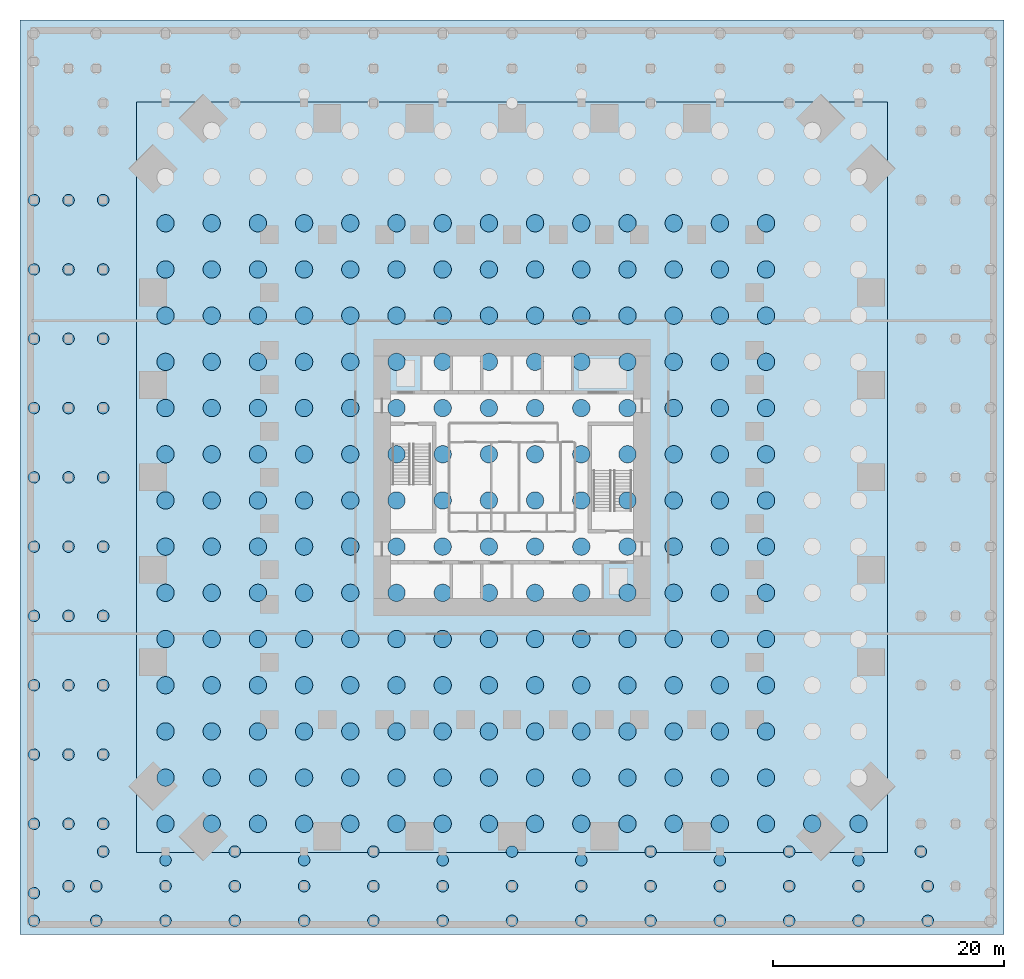
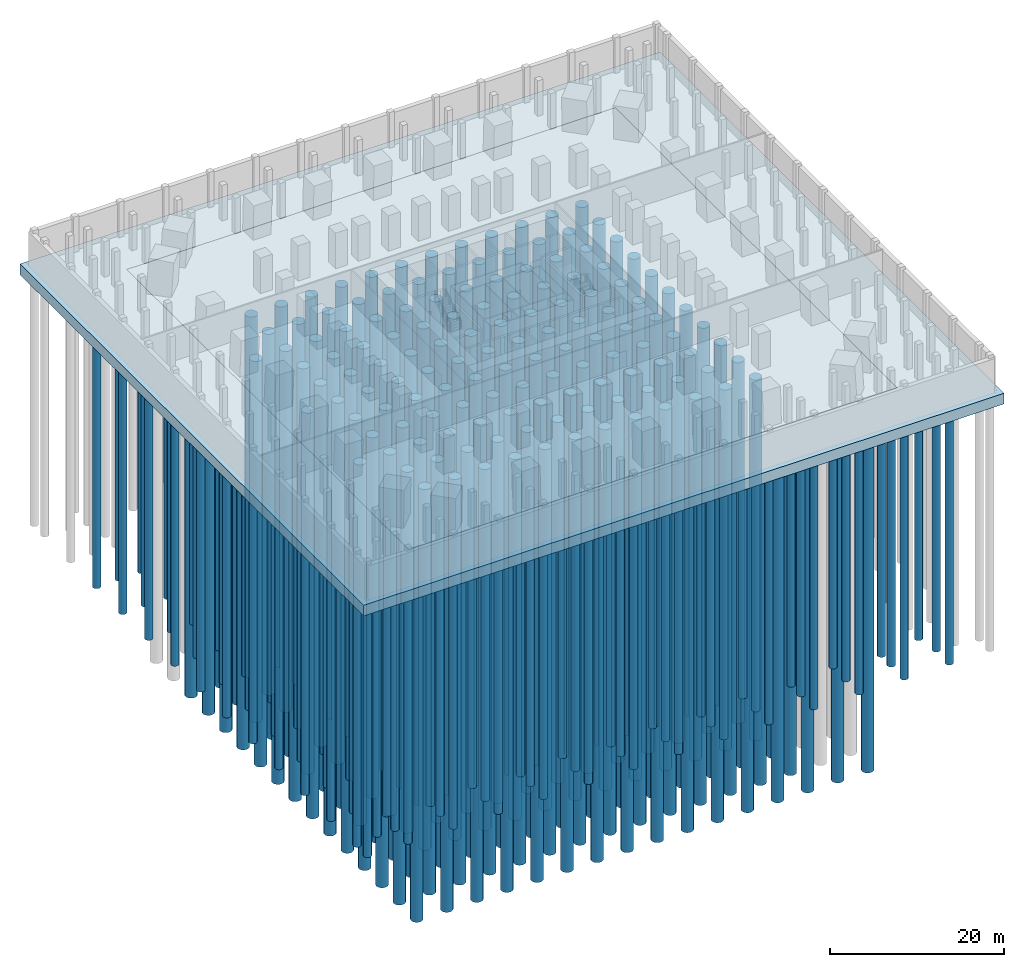
# One storey, part 1 of 8: 270 piles, 2 footings.
"""IFC4 building model written with IfcOpenShell, lengths in metres."""

import ifcopenshell
import ifcopenshell.guid

model = None  # the IFC model being written
_history = None  # IfcOwnerHistory: only IFC2X3 demands one
_inside = {}  # id of a spatial element -> (the spatial element, [elements in it])
_under = {}  # id of a project, library or spatial element -> (it, [spatial elements below it])
_declared = {}  # id of a project -> (the project, [libraries it declares])
_typed = {}  # id of a type object -> (the type object, [elements of that type])
_made_of = {}  # id of a material, layer set ... -> (it, [elements and type objects made of it])


def new_model(schema):
    """Start an empty IFC model of exactly this schema.

    Asked for "IFC4X3", IfcOpenShell would pick the latest addendum, in which some entities
    have other attributes; the version numbers below select the first issue.
    IFC2X3 requires an IfcOwnerHistory on every rooted entity: one is made here for all.
    """
    global model, _history
    if schema == "IFC4X3":
        model = ifcopenshell.file(schema_version=(4, 3, 0, 0))
    else:
        model = ifcopenshell.file(schema=schema)
    _inside.clear()
    _under.clear()
    _declared.clear()
    _typed.clear()
    _made_of.clear()
    _history = None
    if model.schema == "IFC2X3":
        org = make("IfcOrganization", Name="unknown")
        user = make(
            "IfcPersonAndOrganization",
            ThePerson=make("IfcPerson", FamilyName="unknown"),
            TheOrganization=org,
        )
        app = make(
            "IfcApplication",
            ApplicationDeveloper=org,
            Version="unknown",
            ApplicationFullName="unknown",
            ApplicationIdentifier="unknown",
        )
        _history = make(
            "IfcOwnerHistory",
            OwningUser=user,
            OwningApplication=app,
            ChangeAction="ADDED",
            CreationDate=0,
        )
    return model


def make(cls, **values):
    """One entity of the class cls with the attributes given. An attribute that is None is left unset."""
    return model.create_entity(
        cls, **{name: value for name, value in values.items() if value is not None}
    )


def rooted(cls, **values):
    """An entity with a GlobalId (a new one), such as an element, a storey or a relation."""
    return make(cls, GlobalId=ifcopenshell.guid.new(), OwnerHistory=_history, **values)


def si_unit(unit_type, name, prefix=None):
    """IfcSIUnit, for example si_unit("LENGTHUNIT", "METRE", prefix="MILLI")."""
    return make("IfcSIUnit", UnitType=unit_type, Prefix=prefix, Name=name)


def assignment(units):
    """IfcUnitAssignment: the units of a project."""
    return None if units is None else make("IfcUnitAssignment", Units=units)


def point(xyz):
    """IfcCartesianPoint."""
    return None if xyz is None else make("IfcCartesianPoint", Coordinates=xyz)


def direction(xyz):
    """IfcDirection."""
    return None if xyz is None else make("IfcDirection", DirectionRatios=xyz)


def frame(location, z_axis=None, x_axis=None):
    """IfcAxis2Placement3D, a coordinate frame: its origin and axes. An axis left out is left unset."""
    return make(
        "IfcAxis2Placement3D",
        Location=point(location),
        Axis=direction(z_axis),
        RefDirection=direction(x_axis),
    )


def frame_2d(location, x_axis=None):
    """IfcAxis2Placement2D, a coordinate frame in the plane: its origin and x axis."""
    return make(
        "IfcAxis2Placement2D", Location=point(location), RefDirection=direction(x_axis)
    )


def origin():
    """The frame at (0, 0, 0) with its axes left unset."""
    return frame((0.0, 0.0, 0.0))


def origin_2d():
    """The frame at (0, 0) in the plane with its x axis left unset."""
    return frame_2d((0.0, 0.0))


def place(relative_to, where):
    """IfcLocalPlacement: puts the frame where relative to a parent placement (None: the world)."""
    return make(
        "IfcLocalPlacement", PlacementRelTo=relative_to, RelativePlacement=where
    )


def context(
    kind, dimensions, precision=None, world=None, true_north=None, identifier=None
):
    """IfcGeometricRepresentationContext, for example the 3D "Model" context."""
    return make(
        "IfcGeometricRepresentationContext",
        ContextIdentifier=identifier,
        ContextType=kind,
        CoordinateSpaceDimension=dimensions,
        Precision=precision,
        WorldCoordinateSystem=world,
        TrueNorth=true_north,
    )


def subcontext(parent, identifier, kind, view, scale=None):
    """IfcGeometricRepresentationSubContext, for example "Body" below "Model"."""
    return make(
        "IfcGeometricRepresentationSubContext",
        ContextIdentifier=identifier,
        ContextType=kind,
        ParentContext=parent,
        TargetScale=scale,
        TargetView=view,
    )


def project(units=None, contexts=None):
    """IfcProject with its units and contexts."""
    return rooted(
        "IfcProject",
        Name="project",
        RepresentationContexts=contexts,
        UnitsInContext=assignment(units),
    )


def spatial(cls, under=None, at=None, **own):
    """A site, building, storey or space (cls), placed at a placement, below another one or the project."""
    s = rooted(cls, ObjectPlacement=at, **own)
    if under is not None:
        _under.setdefault(under.id(), (under, []))[1].append(s)
    return s


def polyline(points):
    """IfcPolyline through the points."""
    return make("IfcPolyline", Points=[point(p) for p in points])


def profile(cls, at=None, kind="AREA", **sizes):
    """A parametric profile (cls). Its sizes go by their IFC names, for example OverallWidth=200.0."""
    return make(cls, ProfileType=kind, Position=at, **sizes)


def circle(**sizes):
    """IfcCircleProfileDef."""
    return profile("IfcCircleProfileDef", **sizes)


def outline(outer, holes=None, kind="AREA"):
    """IfcArbitraryClosedProfileDef: a profile drawn as a closed curve; with holes, ...WithVoids."""
    if holes is None:
        return make("IfcArbitraryClosedProfileDef", ProfileType=kind, OuterCurve=outer)
    return make(
        "IfcArbitraryProfileDefWithVoids",
        ProfileType=kind,
        OuterCurve=outer,
        InnerCurves=holes,
    )


def extrude(swept, where, along, depth):
    """IfcExtrudedAreaSolid: the profile swept, set in the frame where, extruded along a direction by depth."""
    return make(
        "IfcExtrudedAreaSolid",
        SweptArea=swept,
        Position=where,
        ExtrudedDirection=direction(along),
        Depth=depth,
    )


def shape(context_of_items, identifier, shape_type, items):
    """IfcShapeRepresentation: the items that make up one representation, for example the "Body"."""
    return make(
        "IfcShapeRepresentation",
        ContextOfItems=context_of_items,
        RepresentationIdentifier=identifier,
        RepresentationType=shape_type,
        Items=items,
    )


def material(Name=None, Category=None):
    """IfcMaterial."""
    return make("IfcMaterial", Name=Name, Category=Category)


def layer(
    of_material, thickness, ventilated=None, Name=None, Category=None, Priority=None
):
    """IfcMaterialLayer: one layer of a wall or slab, of a material (None: an air gap)."""
    return make(
        "IfcMaterialLayer",
        Material=of_material,
        LayerThickness=thickness,
        IsVentilated=ventilated,
        Name=Name,
        Category=Category,
        Priority=Priority,
    )


def layer_set(layers, Name=None):
    """IfcMaterialLayerSet."""
    return make("IfcMaterialLayerSet", MaterialLayers=layers, LayerSetName=Name)


def material_profile(
    of_material, cross_section, Name=None, Category=None, Priority=None
):
    """IfcMaterialProfile: a cross section and its material."""
    return make(
        "IfcMaterialProfile",
        Name=Name,
        Material=of_material,
        Profile=cross_section,
        Priority=Priority,
        Category=Category,
    )


def profile_set(profiles, Name=None, composite=None):
    """IfcMaterialProfileSet."""
    return make(
        "IfcMaterialProfileSet",
        Name=Name,
        MaterialProfiles=profiles,
        CompositeProfile=composite,
    )


def made_of(thing, what):
    """Note that an element or type object is made of a material, layer set ...; save() writes the relation."""
    if what is not None:
        _made_of.setdefault(what.id(), (what, []))[1].append(thing)
    return thing


def type_object(cls, material=None, **own):
    """A type object (cls), such as IfcWallType, which elements share."""
    return made_of(rooted(cls, **own), material)


def element(
    cls,
    number,
    at=None,
    inside=None,
    cuts=None,
    type_object=None,
    material=None,
    context=None,
    identifier="Body",
    shape_type=None,
    held_by="IfcProductDefinitionShape",
    body=None,
    shapes=None,
    **own,
):
    """One element of the class cls, such as IfcWall. Its Tag is "e" and its number.

    at: its placement. inside: the storey or other place that contains it. cuts: it is an
    opening in that element (IfcRelVoidsElement). A single representation is given by context,
    identifier, shape_type and body (its items); several are given by shapes. held_by: the class
    of the entity that holds the representations. save() writes the other relations.
    """
    e = rooted(cls, Tag="e%d" % number, ObjectPlacement=at, **own)
    if body is not None:
        shapes = [shape(context, identifier, shape_type, body)]
    if shapes is not None:
        e.Representation = make(held_by, Representations=shapes)
    if inside is not None:
        _inside.setdefault(inside.id(), (inside, []))[1].append(e)
    if cuts is not None:
        rooted(
            "IfcRelVoidsElement", RelatingBuildingElement=cuts, RelatedOpeningElement=e
        )
    if type_object is not None:
        _typed.setdefault(type_object.id(), (type_object, []))[1].append(e)
    return made_of(e, material)


def aggregate(whole, parts):
    """IfcRelAggregates: a whole, such as a stair, and the parts it consists of."""
    return rooted("IfcRelAggregates", RelatingObject=whole, RelatedObjects=parts)


def save(model, path):
    """Write the relations noted so far, then the file.

    IfcRelAggregates (storeys below a building ...), IfcRelContainedInSpatialStructure (elements
    in a storey), IfcRelDefinesByType, IfcRelAssociatesMaterial and IfcRelDeclares: one each for
    every whole, place, type object, material and project.
    """
    for whole, parts in _under.values():
        aggregate(whole, parts)
    for where, things in _inside.values():
        rooted(
            "IfcRelContainedInSpatialStructure",
            RelatedElements=things,
            RelatingStructure=where,
        )
    for kind, things in _typed.values():
        rooted("IfcRelDefinesByType", RelatedObjects=things, RelatingType=kind)
    for what, things in _made_of.values():
        rooted("IfcRelAssociatesMaterial", RelatedObjects=things, RelatingMaterial=what)
    for by, libraries in _declared.values():
        rooted("IfcRelDeclares", RelatingContext=by, RelatedDefinitions=libraries)
    model.write(path)


model = new_model("IFC4")

# Units and contexts
model_context = context("Model", 3, precision=1e-05, world=origin(), true_north=direction((0.0, 1.0)))
body_context = subcontext(model_context, "Body", "Model", "MODEL_VIEW")
ifc_project = project(units=[si_unit("LENGTHUNIT", "METRE"), si_unit("AREAUNIT", "SQUARE_METRE"), si_unit("VOLUMEUNIT", "CUBIC_METRE"), si_unit("PLANEANGLEUNIT", "RADIAN"), si_unit("MASSUNIT", "GRAM", prefix="KILO")], contexts=[model_context])

# Site, building, storey
site_placement = place(None, origin())
site = spatial("IfcSite", under=ifc_project, at=site_placement, CompositionType="ELEMENT")
building_placement = place(site_placement, origin())
building = spatial("IfcBuilding", under=site, at=building_placement, Name="Peilmerk Tower", CompositionType="ELEMENT")
storey_placement = place(building_placement, frame((0.0, 0.0, -5.0)))
storey = spatial("IfcBuildingStorey", under=building, at=storey_placement, Name="B-01", CompositionType="ELEMENT", Elevation=-5.0)

# Piles
ifc_material_1 = material(Name="Concrete C30/37", Category="concrete")
ifc_material_profile_1 = material_profile(ifc_material_1, circle(Radius=0.75, at=origin_2d()), Name="BP 1500")
ifc_profile_set_1 = profile_set([ifc_material_profile_1], Name="Concrete C30/37")
pile_type_1 = type_object("IfcPileType", Name="BP1 1500 bored pile", PredefinedType="BORED", material=ifc_profile_set_1)
for number, where, z_axis, x_axis, name in (
    (1, (-30.0, -30.0, -3.800048828125), (0.0, 0.0, -1.0), (1.0, 0.0, 0.0), "Bored pile BP1 T01-01"),
    (2, (-26.0, -30.0, -3.800048828125), (0.0, 0.0, -1.0), (1.0, 0.0, 0.0), "Bored pile BP1 T01-02"),
    (3, (-22.0, -30.0, -3.800048828125), (0.0, 0.0, -1.0), (1.0, 0.0, 0.0), "Bored pile BP1 T01-03"),
    (4, (-18.0, -30.0, -3.800048828125), (0.0, 0.0, -1.0), (1.0, 0.0, 0.0), "Bored pile BP1 T01-04"),
    (5, (-14.0, -30.0, -3.800048828125), (0.0, 0.0, -1.0), (1.0, 0.0, 0.0), "Bored pile BP1 T01-05"),
    (6, (-10.0, -30.0, -3.800048828125), (0.0, 0.0, -1.0), (1.0, 0.0, 0.0), "Bored pile BP1 T01-06"),
    (7, (-6.0, -30.0, -3.800048828125), (0.0, 0.0, -1.0), (1.0, 0.0, 0.0), "Bored pile BP1 T01-07"),
    (8, (-2.0, -30.0, -3.800048828125), (0.0, 0.0, -1.0), (1.0, 0.0, 0.0), "Bored pile BP1 T01-08"),
    (9, (2.0, -30.0, -3.800048828125), (0.0, 0.0, -1.0), (1.0, 0.0, 0.0), "Bored pile BP1 T01-09"),
    (10, (6.0, -30.0, -3.800048828125), (0.0, 0.0, -1.0), (1.0, 0.0, 0.0), "Bored pile BP1 T01-10"),
    (11, (10.0, -30.0, -3.800048828125), (0.0, 0.0, -1.0), (1.0, 0.0, 0.0), "Bored pile BP1 T01-11"),
    (12, (14.0, -30.0, -3.800048828125), (0.0, 0.0, -1.0), (1.0, 0.0, 0.0), "Bored pile BP1 T01-12"),
    (13, (18.0, -30.0, -3.800048828125), (0.0, 0.0, -1.0), (1.0, 0.0, 0.0), "Bored pile BP1 T01-13"),
    (14, (22.0, -30.0, -3.800048828125), (0.0, 0.0, -1.0), (1.0, 0.0, 0.0), "Bored pile BP1 T01-14"),
    (15, (26.0, -30.0, -3.800048828125), (0.0, 0.0, -1.0), (1.0, 0.0, 0.0), "Bored pile BP1 T01-15"),
    (16, (30.0, -30.0, -3.800048828125), (0.0, 0.0, -1.0), (1.0, 0.0, 0.0), "Bored pile BP1 T01-16"),
    (17, (-30.0, -26.0, -3.800048828125), (0.0, 0.0, -1.0), (1.0, 0.0, 0.0), "Bored pile BP1 T02-01"),
    (18, (-26.0, -26.0, -3.800048828125), (0.0, 0.0, -1.0), (1.0, 0.0, 0.0), "Bored pile BP1 T02-02"),
    (19, (-22.0, -26.0, -3.800048828125), (0.0, 0.0, -1.0), (1.0, 0.0, 0.0), "Bored pile BP1 T02-03"),
    (20, (-18.0, -26.0, -3.800048828125), (0.0, 0.0, -1.0), (1.0, 0.0, 0.0), "Bored pile BP1 T02-04"),
    (21, (-14.0, -26.0, -3.800048828125), (0.0, 0.0, -1.0), (1.0, 0.0, 0.0), "Bored pile BP1 T02-05"),
    (22, (-10.0, -26.0, -3.800048828125), (0.0, 0.0, -1.0), (1.0, 0.0, 0.0), "Bored pile BP1 T02-06"),
    (23, (-6.0, -26.0, -3.800048828125), (0.0, 0.0, -1.0), (1.0, 0.0, 0.0), "Bored pile BP1 T02-07"),
    (24, (-2.0, -26.0, -3.800048828125), (0.0, 0.0, -1.0), (1.0, 0.0, 0.0), "Bored pile BP1 T02-08"),
    (25, (2.0, -26.0, -3.800048828125), (0.0, 0.0, -1.0), (1.0, 0.0, 0.0), "Bored pile BP1 T02-09"),
    (26, (6.0, -26.0, -3.800048828125), (0.0, 0.0, -1.0), (1.0, 0.0, 0.0), "Bored pile BP1 T02-10"),
    (27, (10.0, -26.0, -3.800048828125), (0.0, 0.0, -1.0), (1.0, 0.0, 0.0), "Bored pile BP1 T02-11"),
    (28, (14.0, -26.0, -3.800048828125), (0.0, 0.0, -1.0), (1.0, 0.0, 0.0), "Bored pile BP1 T02-12"),
    (29, (18.0, -26.0, -3.800048828125), (0.0, 0.0, -1.0), (1.0, 0.0, 0.0), "Bored pile BP1 T02-13"),
    (30, (22.0, -26.0, -3.800048828125), (0.0, 0.0, -1.0), (1.0, 0.0, 0.0), "Bored pile BP1 T02-14"),
    (31, (-30.0, -22.0, -3.800048828125), (0.0, 0.0, -1.0), (1.0, 0.0, 0.0), "Bored pile BP1 T03-01"),
    (32, (-26.0, -22.0, -3.800048828125), (0.0, 0.0, -1.0), (1.0, 0.0, 0.0), "Bored pile BP1 T03-02"),
    (33, (-22.0, -22.0, -3.800048828125), (0.0, 0.0, -1.0), (1.0, 0.0, 0.0), "Bored pile BP1 T03-03"),
    (34, (-18.0, -22.0, -3.800048828125), (0.0, 0.0, -1.0), (1.0, 0.0, 0.0), "Bored pile BP1 T03-04"),
    (35, (-14.0, -22.0, -3.800048828125), (0.0, 0.0, -1.0), (1.0, 0.0, 0.0), "Bored pile BP1 T03-05"),
    (36, (-10.0, -22.0, -3.800048828125), (0.0, 0.0, -1.0), (1.0, 0.0, 0.0), "Bored pile BP1 T03-06"),
    (37, (-6.0, -22.0, -3.800048828125), (0.0, 0.0, -1.0), (1.0, 0.0, 0.0), "Bored pile BP1 T03-07"),
    (38, (-2.0, -22.0, -3.800048828125), (0.0, 0.0, -1.0), (1.0, 0.0, 0.0), "Bored pile BP1 T03-08"),
    (39, (2.0, -22.0, -3.800048828125), (0.0, 0.0, -1.0), (1.0, 0.0, 0.0), "Bored pile BP1 T03-09"),
    (40, (6.0, -22.0, -3.800048828125), (0.0, 0.0, -1.0), (1.0, 0.0, 0.0), "Bored pile BP1 T03-10"),
    (41, (10.0, -22.0, -3.800048828125), (0.0, 0.0, -1.0), (1.0, 0.0, 0.0), "Bored pile BP1 T03-11"),
    (42, (14.0, -22.0, -3.800048828125), (0.0, 0.0, -1.0), (1.0, 0.0, 0.0), "Bored pile BP1 T03-12"),
    (43, (18.0, -22.0, -3.800048828125), (0.0, 0.0, -1.0), (1.0, 0.0, 0.0), "Bored pile BP1 T03-13"),
    (44, (22.0, -22.0, -3.800048828125), (0.0, 0.0, -1.0), (1.0, 0.0, 0.0), "Bored pile BP1 T03-14"),
    (45, (-30.0, -18.0, -3.800048828125), (0.0, 0.0, -1.0), (1.0, 0.0, 0.0), "Bored pile BP1 T04-01"),
    (46, (-26.0, -18.0, -3.800048828125), (0.0, 0.0, -1.0), (1.0, 0.0, 0.0), "Bored pile BP1 T04-02"),
    (47, (-22.0, -18.0, -3.800048828125), (0.0, 0.0, -1.0), (1.0, 0.0, 0.0), "Bored pile BP1 T04-03"),
    (48, (-18.0, -18.0, -3.800048828125), (0.0, 0.0, -1.0), (1.0, 0.0, 0.0), "Bored pile BP1 T04-04"),
    (49, (-14.0, -18.0, -3.800048828125), (0.0, 0.0, -1.0), (1.0, 0.0, 0.0), "Bored pile BP1 T04-05"),
    (50, (-10.0, -18.0, -3.800048828125), (0.0, 0.0, -1.0), (1.0, 0.0, 0.0), "Bored pile BP1 T04-06"),
    (51, (-6.0, -18.0, -3.800048828125), (0.0, 0.0, -1.0), (1.0, 0.0, 0.0), "Bored pile BP1 T04-07"),
    (52, (-2.0, -18.0, -3.800048828125), (0.0, 0.0, -1.0), (1.0, 0.0, 0.0), "Bored pile BP1 T04-08"),
    (53, (2.0, -18.0, -3.800048828125), (0.0, 0.0, -1.0), (1.0, 0.0, 0.0), "Bored pile BP1 T04-09"),
    (54, (6.0, -18.0, -3.800048828125), (0.0, 0.0, -1.0), (1.0, 0.0, 0.0), "Bored pile BP1 T04-10"),
    (55, (10.0, -18.0, -3.800048828125), (0.0, 0.0, -1.0), (1.0, 0.0, 0.0), "Bored pile BP1 T04-11"),
    (56, (14.0, -18.0, -3.800048828125), (0.0, 0.0, -1.0), (1.0, 0.0, 0.0), "Bored pile BP1 T04-12"),
    (57, (18.0, -18.0, -3.800048828125), (0.0, 0.0, -1.0), (1.0, 0.0, 0.0), "Bored pile BP1 T04-13"),
    (58, (22.0, -18.0, -3.800048828125), (0.0, 0.0, -1.0), (1.0, 0.0, 0.0), "Bored pile BP1 T04-14"),
    (59, (-30.0, -14.0, -3.800048828125), (0.0, 0.0, -1.0), (1.0, 0.0, 0.0), "Bored pile BP1 T05-01"),
    (60, (-26.0, -14.0, -3.800048828125), (0.0, 0.0, -1.0), (1.0, 0.0, 0.0), "Bored pile BP1 T05-02"),
    (61, (-22.0, -14.0, -3.800048828125), (0.0, 0.0, -1.0), (1.0, 0.0, 0.0), "Bored pile BP1 T05-03"),
    (62, (-18.0, -14.0, -3.800048828125), (0.0, 0.0, -1.0), (1.0, 0.0, 0.0), "Bored pile BP1 T05-04"),
    (63, (-14.0, -14.0, -3.800048828125), (0.0, 0.0, -1.0), (1.0, 0.0, 0.0), "Bored pile BP1 T05-05"),
    (64, (-10.0, -14.0, -3.800048828125), (0.0, 0.0, -1.0), (1.0, 0.0, 0.0), "Bored pile BP1 T05-06"),
    (65, (-6.0, -14.0, -3.800048828125), (0.0, 0.0, -1.0), (1.0, 0.0, 0.0), "Bored pile BP1 T05-07"),
    (66, (-2.0, -14.0, -3.800048828125), (0.0, 0.0, -1.0), (1.0, 0.0, 0.0), "Bored pile BP1 T05-08"),
    (67, (2.0, -14.0, -3.800048828125), (0.0, 0.0, -1.0), (1.0, 0.0, 0.0), "Bored pile BP1 T05-09"),
    (68, (6.0, -14.0, -3.800048828125), (0.0, 0.0, -1.0), (1.0, 0.0, 0.0), "Bored pile BP1 T05-10"),
    (69, (10.0, -14.0, -3.800048828125), (0.0, 0.0, -1.0), (1.0, 0.0, 0.0), "Bored pile BP1 T05-11"),
    (70, (14.0, -14.0, -3.800048828125), (0.0, 0.0, -1.0), (1.0, 0.0, 0.0), "Bored pile BP1 T05-12"),
    (71, (18.0, -14.0, -3.800048828125), (0.0, 0.0, -1.0), (1.0, 0.0, 0.0), "Bored pile BP1 T05-13"),
    (72, (22.0, -14.0, -3.800048828125), (0.0, 0.0, -1.0), (1.0, 0.0, 0.0), "Bored pile BP1 T05-14"),
    (73, (-30.0, -10.0, -3.800048828125), (0.0, 0.0, -1.0), (1.0, 0.0, 0.0), "Bored pile BP1 T06-01"),
    (74, (-26.0, -10.0, -3.800048828125), (0.0, 0.0, -1.0), (1.0, 0.0, 0.0), "Bored pile BP1 T06-02"),
    (75, (-22.0, -10.0, -3.800048828125), (0.0, 0.0, -1.0), (1.0, 0.0, 0.0), "Bored pile BP1 T06-03"),
    (76, (-18.0, -10.0, -3.800048828125), (0.0, 0.0, -1.0), (1.0, 0.0, 0.0), "Bored pile BP1 T06-04"),
    (77, (-14.0, -10.0, -3.800048828125), (0.0, 0.0, -1.0), (1.0, 0.0, 0.0), "Bored pile BP1 T06-05"),
    (78, (-10.0, -10.0, -3.800048828125), (0.0, 0.0, -1.0), (1.0, 0.0, 0.0), "Bored pile BP1 T06-06"),
    (79, (-6.0, -10.0, -3.800048828125), (0.0, 0.0, -1.0), (1.0, 0.0, 0.0), "Bored pile BP1 T06-07"),
    (80, (-2.0, -10.0, -3.800048828125), (0.0, 0.0, -1.0), (1.0, 0.0, 0.0), "Bored pile BP1 T06-08"),
    (81, (2.0, -10.0, -3.800048828125), (0.0, 0.0, -1.0), (1.0, 0.0, 0.0), "Bored pile BP1 T06-09"),
    (82, (6.0, -10.0, -3.800048828125), (0.0, 0.0, -1.0), (1.0, 0.0, 0.0), "Bored pile BP1 T06-10"),
    (83, (10.0, -10.0, -3.800048828125), (0.0, 0.0, -1.0), (1.0, 0.0, 0.0), "Bored pile BP1 T06-11"),
    (84, (14.0, -10.0, -3.800048828125), (0.0, 0.0, -1.0), (1.0, 0.0, 0.0), "Bored pile BP1 T06-12"),
    (85, (18.0, -10.0, -3.800048828125), (0.0, 0.0, -1.0), (1.0, 0.0, 0.0), "Bored pile BP1 T06-13"),
    (86, (22.0, -10.0, -3.800048828125), (0.0, 0.0, -1.0), (1.0, 0.0, 0.0), "Bored pile BP1 T06-14"),
    (87, (-30.0, -6.0, -3.800048828125), (0.0, 0.0, -1.0), (1.0, 0.0, 0.0), "Bored pile BP1 T07-01"),
    (88, (-26.0, -6.0, -3.800048828125), (0.0, 0.0, -1.0), (1.0, 0.0, 0.0), "Bored pile BP1 T07-02"),
    (89, (-22.0, -6.0, -3.800048828125), (0.0, 0.0, -1.0), (1.0, 0.0, 0.0), "Bored pile BP1 T07-03"),
    (90, (-18.0, -6.0, -3.800048828125), (0.0, 0.0, -1.0), (1.0, 0.0, 0.0), "Bored pile BP1 T07-04"),
    (91, (-14.0, -6.0, -3.800048828125), (0.0, 0.0, -1.0), (1.0, 0.0, 0.0), "Bored pile BP1 T07-05"),
    (92, (-10.0, -6.0, -3.800048828125), (0.0, 0.0, -1.0), (1.0, 0.0, 0.0), "Bored pile BP1 T07-06"),
    (93, (-6.0, -6.0, -3.800048828125), (0.0, 0.0, -1.0), (1.0, 0.0, 0.0), "Bored pile BP1 T07-07"),
    (94, (-2.0, -6.0, -3.800048828125), (0.0, 0.0, -1.0), (1.0, 0.0, 0.0), "Bored pile BP1 T07-08"),
    (95, (2.0, -6.0, -3.800048828125), (0.0, 0.0, -1.0), (1.0, 0.0, 0.0), "Bored pile BP1 T07-09"),
    (96, (6.0, -6.0, -3.800048828125), (0.0, 0.0, -1.0), (1.0, 0.0, 0.0), "Bored pile BP1 T07-10"),
    (97, (10.0, -6.0, -3.800048828125), (0.0, 0.0, -1.0), (1.0, 0.0, 0.0), "Bored pile BP1 T07-11"),
    (98, (14.0, -6.0, -3.800048828125), (0.0, 0.0, -1.0), (1.0, 0.0, 0.0), "Bored pile BP1 T07-12"),
    (99, (18.0, -6.0, -3.800048828125), (0.0, 0.0, -1.0), (1.0, 0.0, 0.0), "Bored pile BP1 T07-13"),
    (100, (22.0, -6.0, -3.800048828125), (0.0, 0.0, -1.0), (1.0, 0.0, 0.0), "Bored pile BP1 T07-14"),
    (101, (-30.0, -2.0, -3.800048828125), (0.0, 0.0, -1.0), (1.0, 0.0, 0.0), "Bored pile BP1 T08-01"),
    (102, (-26.0, -2.0, -3.800048828125), (0.0, 0.0, -1.0), (1.0, 0.0, 0.0), "Bored pile BP1 T08-02"),
    (103, (-22.0, -2.0, -3.800048828125), (0.0, 0.0, -1.0), (1.0, 0.0, 0.0), "Bored pile BP1 T08-03"),
    (104, (-18.0, -2.0, -3.800048828125), (0.0, 0.0, -1.0), (1.0, 0.0, 0.0), "Bored pile BP1 T08-04"),
    (105, (-14.0, -2.0, -3.800048828125), (0.0, 0.0, -1.0), (1.0, 0.0, 0.0), "Bored pile BP1 T08-05"),
    (106, (-10.0, -2.0, -3.800048828125), (0.0, 0.0, -1.0), (1.0, 0.0, 0.0), "Bored pile BP1 T08-06"),
    (107, (-6.0, -2.0, -3.800048828125), (0.0, 0.0, -1.0), (1.0, 0.0, 0.0), "Bored pile BP1 T08-07"),
    (108, (-2.0, -2.0, -3.800048828125), (0.0, 0.0, -1.0), (1.0, 0.0, 0.0), "Bored pile BP1 T08-08"),
    (109, (2.0, -2.0, -3.800048828125), (0.0, 0.0, -1.0), (1.0, 0.0, 0.0), "Bored pile BP1 T08-09"),
    (110, (6.0, -2.0, -3.800048828125), (0.0, 0.0, -1.0), (1.0, 0.0, 0.0), "Bored pile BP1 T08-10"),
    (111, (10.0, -2.0, -3.800048828125), (0.0, 0.0, -1.0), (1.0, 0.0, 0.0), "Bored pile BP1 T08-11"),
    (112, (14.0, -2.0, -3.800048828125), (0.0, 0.0, -1.0), (1.0, 0.0, 0.0), "Bored pile BP1 T08-12"),
    (113, (18.0, -2.0, -3.800048828125), (0.0, 0.0, -1.0), (1.0, 0.0, 0.0), "Bored pile BP1 T08-13"),
    (114, (22.0, -2.0, -3.800048828125), (0.0, 0.0, -1.0), (1.0, 0.0, 0.0), "Bored pile BP1 T08-14"),
    (115, (-30.0, 2.0, -3.800048828125), (0.0, 0.0, -1.0), (1.0, 0.0, 0.0), "Bored pile BP1 T09-01"),
    (116, (-26.0, 2.0, -3.800048828125), (0.0, 0.0, -1.0), (1.0, 0.0, 0.0), "Bored pile BP1 T09-02"),
    (117, (-22.0, 2.0, -3.800048828125), (0.0, 0.0, -1.0), (1.0, 0.0, 0.0), "Bored pile BP1 T09-03"),
    (118, (-18.0, 2.0, -3.800048828125), (0.0, 0.0, -1.0), (1.0, 0.0, 0.0), "Bored pile BP1 T09-04"),
    (119, (-14.0, 2.0, -3.800048828125), (0.0, 0.0, -1.0), (1.0, 0.0, 0.0), "Bored pile BP1 T09-05"),
    (120, (-10.0, 2.0, -3.800048828125), (0.0, 0.0, -1.0), (1.0, 0.0, 0.0), "Bored pile BP1 T09-06"),
    (121, (-6.0, 2.0, -3.800048828125), (0.0, 0.0, -1.0), (1.0, 0.0, 0.0), "Bored pile BP1 T09-07"),
    (122, (-2.0, 2.0, -3.800048828125), (0.0, 0.0, -1.0), (1.0, 0.0, 0.0), "Bored pile BP1 T09-08"),
    (123, (2.0, 2.0, -3.800048828125), (0.0, 0.0, -1.0), (1.0, 0.0, 0.0), "Bored pile BP1 T09-09"),
    (124, (6.0, 2.0, -3.800048828125), (0.0, 0.0, -1.0), (1.0, 0.0, 0.0), "Bored pile BP1 T09-10"),
    (125, (10.0, 2.0, -3.800048828125), (0.0, 0.0, -1.0), (1.0, 0.0, 0.0), "Bored pile BP1 T09-11"),
    (126, (14.0, 2.0, -3.800048828125), (0.0, 0.0, -1.0), (1.0, 0.0, 0.0), "Bored pile BP1 T09-12"),
    (127, (18.0, 2.0, -3.800048828125), (0.0, 0.0, -1.0), (1.0, 0.0, 0.0), "Bored pile BP1 T09-13"),
    (128, (22.0, 2.0, -3.800048828125), (0.0, 0.0, -1.0), (1.0, 0.0, 0.0), "Bored pile BP1 T09-14"),
    (129, (-30.0, 6.0, -3.800048828125), (0.0, 0.0, -1.0), (1.0, 0.0, 0.0), "Bored pile BP1 T10-01"),
    (130, (-26.0, 6.0, -3.800048828125), (0.0, 0.0, -1.0), (1.0, 0.0, 0.0), "Bored pile BP1 T10-02"),
    (131, (-22.0, 6.0, -3.800048828125), (0.0, 0.0, -1.0), (1.0, 0.0, 0.0), "Bored pile BP1 T10-03"),
    (132, (-18.0, 6.0, -3.800048828125), (0.0, 0.0, -1.0), (1.0, 0.0, 0.0), "Bored pile BP1 T10-04"),
    (133, (-14.0, 6.0, -3.800048828125), (0.0, 0.0, -1.0), (1.0, 0.0, 0.0), "Bored pile BP1 T10-05"),
    (134, (-10.0, 6.0, -3.800048828125), (0.0, 0.0, -1.0), (1.0, 0.0, 0.0), "Bored pile BP1 T10-06"),
    (135, (-6.0, 6.0, -3.800048828125), (0.0, 0.0, -1.0), (1.0, 0.0, 0.0), "Bored pile BP1 T10-07"),
    (136, (-2.0, 6.0, -3.800048828125), (0.0, 0.0, -1.0), (1.0, 0.0, 0.0), "Bored pile BP1 T10-08"),
    (137, (2.0, 6.0, -3.800048828125), (0.0, 0.0, -1.0), (1.0, 0.0, 0.0), "Bored pile BP1 T10-09"),
    (138, (6.0, 6.0, -3.800048828125), (0.0, 0.0, -1.0), (1.0, 0.0, 0.0), "Bored pile BP1 T10-10"),
    (139, (10.0, 6.0, -3.800048828125), (0.0, 0.0, -1.0), (1.0, 0.0, 0.0), "Bored pile BP1 T10-11"),
    (140, (14.0, 6.0, -3.800048828125), (0.0, 0.0, -1.0), (1.0, 0.0, 0.0), "Bored pile BP1 T10-12"),
    (141, (18.0, 6.0, -3.800048828125), (0.0, 0.0, -1.0), (1.0, 0.0, 0.0), "Bored pile BP1 T10-13"),
    (142, (22.0, 6.0, -3.800048828125), (0.0, 0.0, -1.0), (1.0, 0.0, 0.0), "Bored pile BP1 T10-14"),
    (143, (-30.0, 10.0, -3.800048828125), (0.0, 0.0, -1.0), (1.0, 0.0, 0.0), "Bored pile BP1 T11-01"),
    (144, (-26.0, 10.0, -3.800048828125), (0.0, 0.0, -1.0), (1.0, 0.0, 0.0), "Bored pile BP1 T11-02"),
    (145, (-22.0, 10.0, -3.800048828125), (0.0, 0.0, -1.0), (1.0, 0.0, 0.0), "Bored pile BP1 T11-03"),
    (146, (-18.0, 10.0, -3.800048828125), (0.0, 0.0, -1.0), (1.0, 0.0, 0.0), "Bored pile BP1 T11-04"),
    (147, (-14.0, 10.0, -3.800048828125), (0.0, 0.0, -1.0), (1.0, 0.0, 0.0), "Bored pile BP1 T11-05"),
    (148, (-10.0, 10.0, -3.800048828125), (0.0, 0.0, -1.0), (1.0, 0.0, 0.0), "Bored pile BP1 T11-06"),
    (149, (-6.0, 10.0, -3.800048828125), (0.0, 0.0, -1.0), (1.0, 0.0, 0.0), "Bored pile BP1 T11-07"),
    (150, (-2.0, 10.0, -3.800048828125), (0.0, 0.0, -1.0), (1.0, 0.0, 0.0), "Bored pile BP1 T11-08"),
    (151, (2.0, 10.0, -3.800048828125), (0.0, 0.0, -1.0), (1.0, 0.0, 0.0), "Bored pile BP1 T11-09"),
    (152, (6.0, 10.0, -3.800048828125), (0.0, 0.0, -1.0), (1.0, 0.0, 0.0), "Bored pile BP1 T11-10"),
    (153, (10.0, 10.0, -3.800048828125), (0.0, 0.0, -1.0), (1.0, 0.0, 0.0), "Bored pile BP1 T11-11"),
    (154, (14.0, 10.0, -3.800048828125), (0.0, 0.0, -1.0), (1.0, 0.0, 0.0), "Bored pile BP1 T11-12"),
    (155, (18.0, 10.0, -3.800048828125), (0.0, 0.0, -1.0), (1.0, 0.0, 0.0), "Bored pile BP1 T11-13"),
    (156, (22.0, 10.0, -3.800048828125), (0.0, 0.0, -1.0), (1.0, 0.0, 0.0), "Bored pile BP1 T11-14"),
    (157, (-30.0, 14.0, -3.800048828125), (0.0, 0.0, -1.0), (1.0, 0.0, 0.0), "Bored pile BP1 T12-01"),
    (158, (-26.0, 14.0, -3.800048828125), (0.0, 0.0, -1.0), (1.0, 0.0, 0.0), "Bored pile BP1 T12-02"),
    (159, (-22.0, 14.0, -3.800048828125), (0.0, 0.0, -1.0), (1.0, 0.0, 0.0), "Bored pile BP1 T12-03"),
    (160, (-18.0, 14.0, -3.800048828125), (0.0, 0.0, -1.0), (1.0, 0.0, 0.0), "Bored pile BP1 T12-04"),
    (161, (-14.0, 14.0, -3.800048828125), (0.0, 0.0, -1.0), (1.0, 0.0, 0.0), "Bored pile BP1 T12-05"),
    (162, (-10.0, 14.0, -3.800048828125), (0.0, 0.0, -1.0), (1.0, 0.0, 0.0), "Bored pile BP1 T12-06"),
    (163, (-6.0, 14.0, -3.800048828125), (0.0, 0.0, -1.0), (1.0, 0.0, 0.0), "Bored pile BP1 T12-07"),
    (164, (-2.0, 14.0, -3.800048828125), (0.0, 0.0, -1.0), (1.0, 0.0, 0.0), "Bored pile BP1 T12-08"),
    (165, (2.0, 14.0, -3.800048828125), (0.0, 0.0, -1.0), (1.0, 0.0, 0.0), "Bored pile BP1 T12-09"),
    (166, (6.0, 14.0, -3.800048828125), (0.0, 0.0, -1.0), (1.0, 0.0, 0.0), "Bored pile BP1 T12-10"),
    (167, (10.0, 14.0, -3.800048828125), (0.0, 0.0, -1.0), (1.0, 0.0, 0.0), "Bored pile BP1 T12-11"),
    (168, (14.0, 14.0, -3.800048828125), (0.0, 0.0, -1.0), (1.0, 0.0, 0.0), "Bored pile BP1 T12-12"),
    (169, (18.0, 14.0, -3.800048828125), (0.0, 0.0, -1.0), (1.0, 0.0, 0.0), "Bored pile BP1 T12-13"),
    (170, (22.0, 14.0, -3.800048828125), (0.0, 0.0, -1.0), (1.0, 0.0, 0.0), "Bored pile BP1 T12-14"),
    (171, (-30.0, 18.0, -3.800048828125), (0.0, 0.0, -1.0), (1.0, 0.0, 0.0), "Bored pile BP1 T13-01"),
    (172, (-26.0, 18.0, -3.800048828125), (0.0, 0.0, -1.0), (1.0, 0.0, 0.0), "Bored pile BP1 T13-02"),
    (173, (-22.0, 18.0, -3.800048828125), (0.0, 0.0, -1.0), (1.0, 0.0, 0.0), "Bored pile BP1 T13-03"),
    (174, (-18.0, 18.0, -3.800048828125), (0.0, 0.0, -1.0), (1.0, 0.0, 0.0), "Bored pile BP1 T13-04"),
    (175, (-14.0, 18.0, -3.800048828125), (0.0, 0.0, -1.0), (1.0, 0.0, 0.0), "Bored pile BP1 T13-05"),
    (176, (-10.0, 18.0, -3.800048828125), (0.0, 0.0, -1.0), (1.0, 0.0, 0.0), "Bored pile BP1 T13-06"),
    (177, (-6.0, 18.0, -3.800048828125), (0.0, 0.0, -1.0), (1.0, 0.0, 0.0), "Bored pile BP1 T13-07"),
    (178, (-2.0, 18.0, -3.800048828125), (0.0, 0.0, -1.0), (1.0, 0.0, 0.0), "Bored pile BP1 T13-08"),
    (179, (2.0, 18.0, -3.800048828125), (0.0, 0.0, -1.0), (1.0, 0.0, 0.0), "Bored pile BP1 T13-09"),
    (180, (6.0, 18.0, -3.800048828125), (0.0, 0.0, -1.0), (1.0, 0.0, 0.0), "Bored pile BP1 T13-10"),
    (181, (10.0, 18.0, -3.800048828125), (0.0, 0.0, -1.0), (1.0, 0.0, 0.0), "Bored pile BP1 T13-11"),
    (182, (14.0, 18.0, -3.800048828125), (0.0, 0.0, -1.0), (1.0, 0.0, 0.0), "Bored pile BP1 T13-12"),
    (183, (18.0, 18.0, -3.800048828125), (0.0, 0.0, -1.0), (1.0, 0.0, 0.0), "Bored pile BP1 T13-13"),
    (184, (22.0, 18.0, -3.800048828125), (0.0, 0.0, -1.0), (1.0, 0.0, 0.0), "Bored pile BP1 T13-14"),
    (185, (-30.0, 22.0, -3.800048828125), (0.0, 0.0, -1.0), (1.0, 0.0, 0.0), "Bored pile BP1 T14-01"),
    (186, (-26.0, 22.0, -3.800048828125), (0.0, 0.0, -1.0), (1.0, 0.0, 0.0), "Bored pile BP1 T14-02"),
    (187, (-22.0, 22.0, -3.800048828125), (0.0, 0.0, -1.0), (1.0, 0.0, 0.0), "Bored pile BP1 T14-03"),
    (188, (-18.0, 22.0, -3.800048828125), (0.0, 0.0, -1.0), (1.0, 0.0, 0.0), "Bored pile BP1 T14-04"),
    (189, (-14.0, 22.0, -3.800048828125), (0.0, 0.0, -1.0), (1.0, 0.0, 0.0), "Bored pile BP1 T14-05"),
    (190, (-10.0, 22.0, -3.800048828125), (0.0, 0.0, -1.0), (1.0, 0.0, 0.0), "Bored pile BP1 T14-06"),
    (191, (-6.0, 22.0, -3.800048828125), (0.0, 0.0, -1.0), (1.0, 0.0, 0.0), "Bored pile BP1 T14-07"),
    (192, (-2.0, 22.0, -3.800048828125), (0.0, 0.0, -1.0), (1.0, 0.0, 0.0), "Bored pile BP1 T14-08"),
    (193, (2.0, 22.0, -3.800048828125), (0.0, 0.0, -1.0), (1.0, 0.0, 0.0), "Bored pile BP1 T14-09"),
    (194, (6.0, 22.0, -3.800048828125), (0.0, 0.0, -1.0), (1.0, 0.0, 0.0), "Bored pile BP1 T14-10"),
    (195, (10.0, 22.0, -3.800048828125), (0.0, 0.0, -1.0), (1.0, 0.0, 0.0), "Bored pile BP1 T14-11"),
    (196, (14.0, 22.0, -3.800048828125), (0.0, 0.0, -1.0), (1.0, 0.0, 0.0), "Bored pile BP1 T14-12"),
    (197, (18.0, 22.0, -3.800048828125), (0.0, 0.0, -1.0), (1.0, 0.0, 0.0), "Bored pile BP1 T14-13"),
    (198, (22.0, 22.0, -3.800048828125), (0.0, 0.0, -1.0), (1.0, 0.0, 0.0), "Bored pile BP1 T14-14"),
):
    element("IfcPile", number, at=place(storey_placement, frame(where, z_axis=z_axis, x_axis=x_axis)), inside=storey, type_object=pile_type_1, Name=name, PredefinedType="BORED", context=body_context, shape_type="SweptSolid", body=[
        extrude(circle(Radius=0.75, at=origin_2d()), origin(), (0.0, 0.0, 1.0), 50.800048828125),
    ])
ifc_material_profile_2 = material_profile(ifc_material_1, circle(Radius=0.5, at=origin_2d()), Name="BP 1000")
ifc_profile_set_2 = profile_set([ifc_material_profile_2], Name="Concrete C30/37")
pile_type_2 = type_object("IfcPileType", Name="BP2 1000 bored pile", PredefinedType="BORED", material=ifc_profile_set_2)
for number, where, z_axis, x_axis, name in (
    (199, (-35.39990234375, -32.39990234375, -1.800048828125), (0.0, 0.0, -1.0), (1.0, 0.0, 0.0), "Bored pile BP2 ring A"),
    (200, (-35.39990234375, -30.0, -1.800048828125), (0.0, 0.0, -1.0), (1.0, 0.0, 0.0), "Bored pile BP2 ring A"),
    (201, (-35.39990234375, -24.0, -1.800048828125), (0.0, 0.0, -1.0), (1.0, 0.0, 0.0), "Bored pile BP2 ring A"),
    (202, (-35.39990234375, -18.0, -1.800048828125), (0.0, 0.0, -1.0), (1.0, 0.0, 0.0), "Bored pile BP2 ring A"),
    (203, (-35.39990234375, -12.0, -1.800048828125), (0.0, 0.0, -1.0), (1.0, 0.0, 0.0), "Bored pile BP2 ring A"),
    (204, (-35.39990234375, -6.0, -1.800048828125), (0.0, 0.0, -1.0), (1.0, 0.0, 0.0), "Bored pile BP2 ring A"),
    (205, (-35.39990234375, 0.0, -1.800048828125), (0.0, 0.0, -1.0), (1.0, 0.0, 0.0), "Bored pile BP2 ring A"),
    (206, (-35.39990234375, 6.0, -1.800048828125), (0.0, 0.0, -1.0), (1.0, 0.0, 0.0), "Bored pile BP2 ring A"),
    (207, (-35.39990234375, 12.0, -1.800048828125), (0.0, 0.0, -1.0), (1.0, 0.0, 0.0), "Bored pile BP2 ring A"),
    (208, (-35.39990234375, 18.0, -1.800048828125), (0.0, 0.0, -1.0), (1.0, 0.0, 0.0), "Bored pile BP2 ring A"),
    (209, (-35.39990234375, 24.0, -1.800048828125), (0.0, 0.0, -1.0), (1.0, 0.0, 0.0), "Bored pile BP2 ring A"),
    (210, (-30.0, -33.14990234375, -1.800048828125), (0.0, 0.0, -1.0), (1.0, 0.0, 0.0), "Bored pile BP2 ring A"),
    (211, (-24.0, -32.39990234375, -1.800048828125), (0.0, 0.0, -1.0), (1.0, 0.0, 0.0), "Bored pile BP2 ring A"),
    (212, (-18.0, -33.14990234375, -1.800048828125), (0.0, 0.0, -1.0), (1.0, 0.0, 0.0), "Bored pile BP2 ring A"),
    (213, (-12.0, -32.39990234375, -1.800048828125), (0.0, 0.0, -1.0), (1.0, 0.0, 0.0), "Bored pile BP2 ring A"),
    (214, (-6.0, -33.14990234375, -1.800048828125), (0.0, 0.0, -1.0), (1.0, 0.0, 0.0), "Bored pile BP2 ring A"),
    (215, (0.0, -32.39990234375, -1.800048828125), (0.0, 0.0, -1.0), (1.0, 0.0, 0.0), "Bored pile BP2 ring A"),
    (216, (6.0, -33.14990234375, -1.800048828125), (0.0, 0.0, -1.0), (1.0, 0.0, 0.0), "Bored pile BP2 ring A"),
    (217, (12.0, -32.39990234375, -1.800048828125), (0.0, 0.0, -1.0), (1.0, 0.0, 0.0), "Bored pile BP2 ring A"),
    (218, (18.0, -33.14990234375, -1.800048828125), (0.0, 0.0, -1.0), (1.0, 0.0, 0.0), "Bored pile BP2 ring A"),
    (219, (24.0, -32.39990234375, -1.800048828125), (0.0, 0.0, -1.0), (1.0, 0.0, 0.0), "Bored pile BP2 ring A"),
    (220, (30.0, -33.14990234375, -1.800048828125), (0.0, 0.0, -1.0), (1.0, 0.0, 0.0), "Bored pile BP2 ring A"),
    (221, (35.39990234375, -32.39990234375, -1.800048828125), (0.0, 0.0, -1.0), (1.0, 0.0, 0.0), "Bored pile BP2 ring A"),
    (222, (-38.39990234375, -35.39990234375, -1.800048828125), (0.0, 0.0, -1.0), (1.0, 0.0, 0.0), "Bored pile BP2 ring B"),
    (223, (-38.39990234375, -30.0, -1.800048828125), (0.0, 0.0, -1.0), (1.0, 0.0, 0.0), "Bored pile BP2 ring B"),
    (224, (-38.39990234375, -24.0, -1.800048828125), (0.0, 0.0, -1.0), (1.0, 0.0, 0.0), "Bored pile BP2 ring B"),
    (225, (-38.39990234375, -18.0, -1.800048828125), (0.0, 0.0, -1.0), (1.0, 0.0, 0.0), "Bored pile BP2 ring B"),
    (226, (-38.39990234375, -12.0, -1.800048828125), (0.0, 0.0, -1.0), (1.0, 0.0, 0.0), "Bored pile BP2 ring B"),
    (227, (-38.39990234375, -6.0, -1.800048828125), (0.0, 0.0, -1.0), (1.0, 0.0, 0.0), "Bored pile BP2 ring B"),
    (228, (-38.39990234375, 0.0, -1.800048828125), (0.0, 0.0, -1.0), (1.0, 0.0, 0.0), "Bored pile BP2 ring B"),
    (229, (-38.39990234375, 6.0, -1.800048828125), (0.0, 0.0, -1.0), (1.0, 0.0, 0.0), "Bored pile BP2 ring B"),
    (230, (-38.39990234375, 12.0, -1.800048828125), (0.0, 0.0, -1.0), (1.0, 0.0, 0.0), "Bored pile BP2 ring B"),
    (231, (-38.39990234375, 18.0, -1.800048828125), (0.0, 0.0, -1.0), (1.0, 0.0, 0.0), "Bored pile BP2 ring B"),
    (232, (-38.39990234375, 24.0, -1.800048828125), (0.0, 0.0, -1.0), (1.0, 0.0, 0.0), "Bored pile BP2 ring B"),
    (233, (-36.0, -35.39990234375, -1.800048828125), (0.0, 0.0, -1.0), (1.0, 0.0, 0.0), "Bored pile BP2 ring B"),
    (234, (-30.0, -35.39990234375, -1.800048828125), (0.0, 0.0, -1.0), (1.0, 0.0, 0.0), "Bored pile BP2 ring B"),
    (235, (-24.0, -35.39990234375, -1.800048828125), (0.0, 0.0, -1.0), (1.0, 0.0, 0.0), "Bored pile BP2 ring B"),
    (236, (-18.0, -35.39990234375, -1.800048828125), (0.0, 0.0, -1.0), (1.0, 0.0, 0.0), "Bored pile BP2 ring B"),
    (237, (-12.0, -35.39990234375, -1.800048828125), (0.0, 0.0, -1.0), (1.0, 0.0, 0.0), "Bored pile BP2 ring B"),
    (238, (-6.0, -35.39990234375, -1.800048828125), (0.0, 0.0, -1.0), (1.0, 0.0, 0.0), "Bored pile BP2 ring B"),
    (239, (0.0, -35.39990234375, -1.800048828125), (0.0, 0.0, -1.0), (1.0, 0.0, 0.0), "Bored pile BP2 ring B"),
    (240, (6.0, -35.39990234375, -1.800048828125), (0.0, 0.0, -1.0), (1.0, 0.0, 0.0), "Bored pile BP2 ring B"),
    (241, (12.0, -35.39990234375, -1.800048828125), (0.0, 0.0, -1.0), (1.0, 0.0, 0.0), "Bored pile BP2 ring B"),
    (242, (18.0, -35.39990234375, -1.800048828125), (0.0, 0.0, -1.0), (1.0, 0.0, 0.0), "Bored pile BP2 ring B"),
    (243, (24.0, -35.39990234375, -1.800048828125), (0.0, 0.0, -1.0), (1.0, 0.0, 0.0), "Bored pile BP2 ring B"),
    (244, (30.0, -35.39990234375, -1.800048828125), (0.0, 0.0, -1.0), (1.0, 0.0, 0.0), "Bored pile BP2 ring B"),
    (245, (36.0, -35.39990234375, -1.800048828125), (0.0, 0.0, -1.0), (1.0, 0.0, 0.0), "Bored pile BP2 ring B"),
    (246, (-41.39990234375, -38.39990234375, -1.800048828125), (0.0, 0.0, -1.0), (1.0, 0.0, 0.0), "Bored pile BP2 ring C"),
    (247, (-41.39990234375, -36.0, -1.800048828125), (0.0, 0.0, -1.0), (1.0, 0.0, 0.0), "Bored pile BP2 ring C"),
    (248, (-41.39990234375, -30.0, -1.800048828125), (0.0, 0.0, -1.0), (1.0, 0.0, 0.0), "Bored pile BP2 ring C"),
    (249, (-41.39990234375, -24.0, -1.800048828125), (0.0, 0.0, -1.0), (1.0, 0.0, 0.0), "Bored pile BP2 ring C"),
    (250, (-41.39990234375, -18.0, -1.800048828125), (0.0, 0.0, -1.0), (1.0, 0.0, 0.0), "Bored pile BP2 ring C"),
    (251, (-41.39990234375, -12.0, -1.800048828125), (0.0, 0.0, -1.0), (1.0, 0.0, 0.0), "Bored pile BP2 ring C"),
    (252, (-41.39990234375, -6.0, -1.800048828125), (0.0, 0.0, -1.0), (1.0, 0.0, 0.0), "Bored pile BP2 ring C"),
    (253, (-41.39990234375, 0.0, -1.800048828125), (0.0, 0.0, -1.0), (1.0, 0.0, 0.0), "Bored pile BP2 ring C"),
    (254, (-41.39990234375, 6.0, -1.800048828125), (0.0, 0.0, -1.0), (1.0, 0.0, 0.0), "Bored pile BP2 ring C"),
    (255, (-41.39990234375, 12.0, -1.800048828125), (0.0, 0.0, -1.0), (1.0, 0.0, 0.0), "Bored pile BP2 ring C"),
    (256, (-41.39990234375, 18.0, -1.800048828125), (0.0, 0.0, -1.0), (1.0, 0.0, 0.0), "Bored pile BP2 ring C"),
    (257, (-41.39990234375, 24.0, -1.800048828125), (0.0, 0.0, -1.0), (1.0, 0.0, 0.0), "Bored pile BP2 ring C"),
    (258, (-36.0, -38.39990234375, -1.800048828125), (0.0, 0.0, -1.0), (1.0, 0.0, 0.0), "Bored pile BP2 ring C"),
    (259, (-30.0, -38.39990234375, -1.800048828125), (0.0, 0.0, -1.0), (1.0, 0.0, 0.0), "Bored pile BP2 ring C"),
    (260, (-24.0, -38.39990234375, -1.800048828125), (0.0, 0.0, -1.0), (1.0, 0.0, 0.0), "Bored pile BP2 ring C"),
    (261, (-18.0, -38.39990234375, -1.800048828125), (0.0, 0.0, -1.0), (1.0, 0.0, 0.0), "Bored pile BP2 ring C"),
    (262, (-12.0, -38.39990234375, -1.800048828125), (0.0, 0.0, -1.0), (1.0, 0.0, 0.0), "Bored pile BP2 ring C"),
    (263, (-6.0, -38.39990234375, -1.800048828125), (0.0, 0.0, -1.0), (1.0, 0.0, 0.0), "Bored pile BP2 ring C"),
    (264, (0.0, -38.39990234375, -1.800048828125), (0.0, 0.0, -1.0), (1.0, 0.0, 0.0), "Bored pile BP2 ring C"),
    (265, (6.0, -38.39990234375, -1.800048828125), (0.0, 0.0, -1.0), (1.0, 0.0, 0.0), "Bored pile BP2 ring C"),
    (266, (12.0, -38.39990234375, -1.800048828125), (0.0, 0.0, -1.0), (1.0, 0.0, 0.0), "Bored pile BP2 ring C"),
    (267, (18.0, -38.39990234375, -1.800048828125), (0.0, 0.0, -1.0), (1.0, 0.0, 0.0), "Bored pile BP2 ring C"),
    (268, (24.0, -38.39990234375, -1.800048828125), (0.0, 0.0, -1.0), (1.0, 0.0, 0.0), "Bored pile BP2 ring C"),
    (269, (30.0, -38.39990234375, -1.800048828125), (0.0, 0.0, -1.0), (1.0, 0.0, 0.0), "Bored pile BP2 ring C"),
    (270, (36.0, -38.39990234375, -1.800048828125), (0.0, 0.0, -1.0), (1.0, 0.0, 0.0), "Bored pile BP2 ring C"),
):
    element("IfcPile", number, at=place(storey_placement, frame(where, z_axis=z_axis, x_axis=x_axis)), inside=storey, type_object=pile_type_2, Name=name, PredefinedType="BORED", context=body_context, shape_type="SweptSolid", body=[
        extrude(circle(Radius=0.5, at=origin_2d()), origin(), (0.0, 0.0, 1.0), 34.800048828125),
    ])

# Footings
ifc_material_2 = material(Name="Concrete C35/45", Category="concrete")
ifc_layer_1 = layer(ifc_material_2, 3.5)
ifc_layer_set_1 = layer_set([ifc_layer_1], Name="Concrete C35/45")
footing_type_1 = type_object("IfcFootingType", Name="PR1 3500 tower piled raft", PredefinedType="PILE_CAP", material=ifc_layer_set_1)
footing_1_placement = place(storey_placement, frame((0.0, 0.0, -3.800048828125)))
element("IfcFooting", 271, at=footing_1_placement, inside=storey, type_object=footing_type_1, Name="Tower piled raft PR1", PredefinedType="PILE_CAP", context=body_context, shape_type="SweptSolid", body=[
    extrude(outline(polyline([(32.5, -32.5), (32.5, 32.5), (-32.5, 32.5), (-32.5, -32.5), (32.5, -32.5)])), origin(), (0.0, 0.0, 1.0), 3.5),
])
ifc_layer_2 = layer(ifc_material_2, 1.5)
ifc_layer_set_2 = layer_set([ifc_layer_2], Name="Concrete C35/45")
footing_type_2 = type_object("IfcFootingType", Name="PR2 1500 podium piled raft", PredefinedType="PILE_CAP", material=ifc_layer_set_2)
footing_2_placement = place(storey_placement, frame((0.0, 0.0, -1.800048828125)))
element("IfcFooting", 272, at=footing_2_placement, inside=storey, type_object=footing_type_2, Name="Podium piled raft PR2", PredefinedType="PILE_CAP", context=body_context, shape_type="SweptSolid", body=[
    extrude(outline(polyline([(-42.60009765625, -39.60009765625), (42.60009765625, -39.60009765625), (42.60009765625, 39.60009765625), (-42.60009765625, 39.60009765625), (-42.60009765625, -39.60009765625)]), holes=[polyline([(32.5, 32.5), (32.5, -32.5), (-32.5, -32.5), (-32.5, 32.5), (32.5, 32.5)])]), origin(), (0.0, 0.0, 1.0), 1.5),
])

save(model, "model.ifc")
